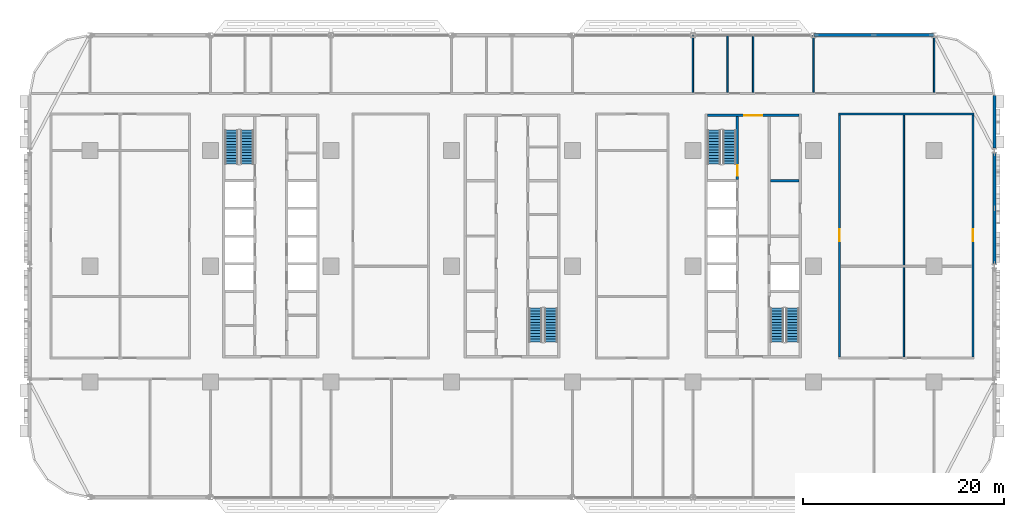
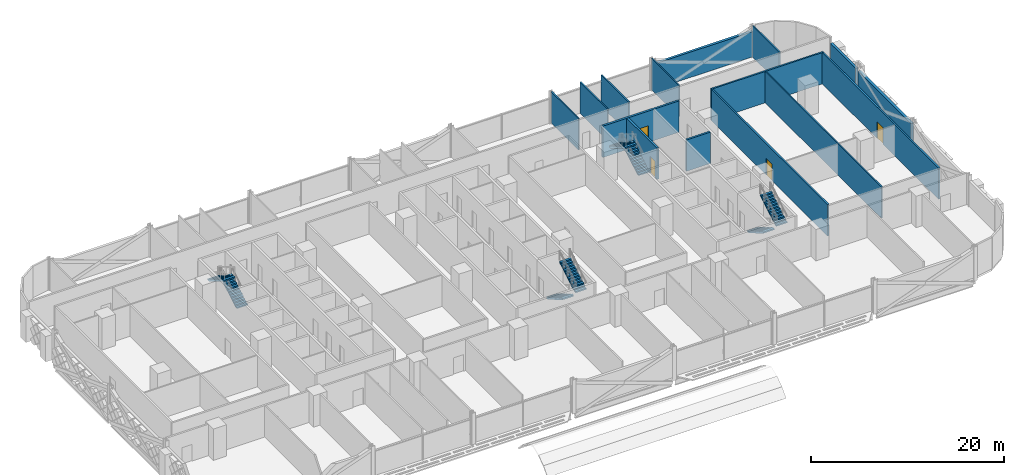
# One storey, part 14 of 26: 15 walls, 8 stair flights, 4 doors, 4 openings, 4 elements without a shape of their own.
"""IFC4 building model written with IfcOpenShell, lengths in metres."""

import ifcopenshell
import ifcopenshell.guid

model = None  # the IFC model being written
_history = None  # IfcOwnerHistory: only IFC2X3 demands one
_inside = {}  # id of a spatial element -> (the spatial element, [elements in it])
_under = {}  # id of a project, library or spatial element -> (it, [spatial elements below it])
_declared = {}  # id of a project -> (the project, [libraries it declares])
_typed = {}  # id of a type object -> (the type object, [elements of that type])
_made_of = {}  # id of a material, layer set ... -> (it, [elements and type objects made of it])


def new_model(schema):
    """Start an empty IFC model of exactly this schema.

    Asked for "IFC4X3", IfcOpenShell would pick the latest addendum, in which some entities
    have other attributes; the version numbers below select the first issue.
    IFC2X3 requires an IfcOwnerHistory on every rooted entity: one is made here for all.
    """
    global model, _history
    if schema == "IFC4X3":
        model = ifcopenshell.file(schema_version=(4, 3, 0, 0))
    else:
        model = ifcopenshell.file(schema=schema)
    _inside.clear()
    _under.clear()
    _declared.clear()
    _typed.clear()
    _made_of.clear()
    _history = None
    if model.schema == "IFC2X3":
        org = make("IfcOrganization", Name="unknown")
        user = make(
            "IfcPersonAndOrganization",
            ThePerson=make("IfcPerson", FamilyName="unknown"),
            TheOrganization=org,
        )
        app = make(
            "IfcApplication",
            ApplicationDeveloper=org,
            Version="unknown",
            ApplicationFullName="unknown",
            ApplicationIdentifier="unknown",
        )
        _history = make(
            "IfcOwnerHistory",
            OwningUser=user,
            OwningApplication=app,
            ChangeAction="ADDED",
            CreationDate=0,
        )
    return model


def make(cls, **values):
    """One entity of the class cls with the attributes given. An attribute that is None is left unset."""
    return model.create_entity(
        cls, **{name: value for name, value in values.items() if value is not None}
    )


def rooted(cls, **values):
    """An entity with a GlobalId (a new one), such as an element, a storey or a relation."""
    return make(cls, GlobalId=ifcopenshell.guid.new(), OwnerHistory=_history, **values)


def si_unit(unit_type, name, prefix=None):
    """IfcSIUnit, for example si_unit("LENGTHUNIT", "METRE", prefix="MILLI")."""
    return make("IfcSIUnit", UnitType=unit_type, Prefix=prefix, Name=name)


def assignment(units):
    """IfcUnitAssignment: the units of a project."""
    return None if units is None else make("IfcUnitAssignment", Units=units)


def point(xyz):
    """IfcCartesianPoint."""
    return None if xyz is None else make("IfcCartesianPoint", Coordinates=xyz)


def direction(xyz):
    """IfcDirection."""
    return None if xyz is None else make("IfcDirection", DirectionRatios=xyz)


def frame(location, z_axis=None, x_axis=None):
    """IfcAxis2Placement3D, a coordinate frame: its origin and axes. An axis left out is left unset."""
    return make(
        "IfcAxis2Placement3D",
        Location=point(location),
        Axis=direction(z_axis),
        RefDirection=direction(x_axis),
    )


def frame_2d(location, x_axis=None):
    """IfcAxis2Placement2D, a coordinate frame in the plane: its origin and x axis."""
    return make(
        "IfcAxis2Placement2D", Location=point(location), RefDirection=direction(x_axis)
    )


def origin():
    """The frame at (0, 0, 0) with its axes left unset."""
    return frame((0.0, 0.0, 0.0))


def place(relative_to, where):
    """IfcLocalPlacement: puts the frame where relative to a parent placement (None: the world)."""
    return make(
        "IfcLocalPlacement", PlacementRelTo=relative_to, RelativePlacement=where
    )


def context(
    kind, dimensions, precision=None, world=None, true_north=None, identifier=None
):
    """IfcGeometricRepresentationContext, for example the 3D "Model" context."""
    return make(
        "IfcGeometricRepresentationContext",
        ContextIdentifier=identifier,
        ContextType=kind,
        CoordinateSpaceDimension=dimensions,
        Precision=precision,
        WorldCoordinateSystem=world,
        TrueNorth=true_north,
    )


def subcontext(parent, identifier, kind, view, scale=None):
    """IfcGeometricRepresentationSubContext, for example "Body" below "Model"."""
    return make(
        "IfcGeometricRepresentationSubContext",
        ContextIdentifier=identifier,
        ContextType=kind,
        ParentContext=parent,
        TargetScale=scale,
        TargetView=view,
    )


def project(units=None, contexts=None):
    """IfcProject with its units and contexts."""
    return rooted(
        "IfcProject",
        Name="project",
        RepresentationContexts=contexts,
        UnitsInContext=assignment(units),
    )


def spatial(cls, under=None, at=None, **own):
    """A site, building, storey or space (cls), placed at a placement, below another one or the project."""
    s = rooted(cls, ObjectPlacement=at, **own)
    if under is not None:
        _under.setdefault(under.id(), (under, []))[1].append(s)
    return s


def polyline(points):
    """IfcPolyline through the points."""
    return make("IfcPolyline", Points=[point(p) for p in points])


def profile(cls, at=None, kind="AREA", **sizes):
    """A parametric profile (cls). Its sizes go by their IFC names, for example OverallWidth=200.0."""
    return make(cls, ProfileType=kind, Position=at, **sizes)


def rectangle(**sizes):
    """IfcRectangleProfileDef."""
    return profile("IfcRectangleProfileDef", **sizes)


def outline(outer, holes=None, kind="AREA"):
    """IfcArbitraryClosedProfileDef: a profile drawn as a closed curve; with holes, ...WithVoids."""
    if holes is None:
        return make("IfcArbitraryClosedProfileDef", ProfileType=kind, OuterCurve=outer)
    return make(
        "IfcArbitraryProfileDefWithVoids",
        ProfileType=kind,
        OuterCurve=outer,
        InnerCurves=holes,
    )


def extrude(swept, where, along, depth):
    """IfcExtrudedAreaSolid: the profile swept, set in the frame where, extruded along a direction by depth."""
    return make(
        "IfcExtrudedAreaSolid",
        SweptArea=swept,
        Position=where,
        ExtrudedDirection=direction(along),
        Depth=depth,
    )


def shape(context_of_items, identifier, shape_type, items):
    """IfcShapeRepresentation: the items that make up one representation, for example the "Body"."""
    return make(
        "IfcShapeRepresentation",
        ContextOfItems=context_of_items,
        RepresentationIdentifier=identifier,
        RepresentationType=shape_type,
        Items=items,
    )


def material(Name=None, Category=None):
    """IfcMaterial."""
    return make("IfcMaterial", Name=Name, Category=Category)


def layer(
    of_material, thickness, ventilated=None, Name=None, Category=None, Priority=None
):
    """IfcMaterialLayer: one layer of a wall or slab, of a material (None: an air gap)."""
    return make(
        "IfcMaterialLayer",
        Material=of_material,
        LayerThickness=thickness,
        IsVentilated=ventilated,
        Name=Name,
        Category=Category,
        Priority=Priority,
    )


def layer_set(layers, Name=None):
    """IfcMaterialLayerSet."""
    return make("IfcMaterialLayerSet", MaterialLayers=layers, LayerSetName=Name)


def made_of(thing, what):
    """Note that an element or type object is made of a material, layer set ...; save() writes the relation."""
    if what is not None:
        _made_of.setdefault(what.id(), (what, []))[1].append(thing)
    return thing


def type_object(cls, material=None, **own):
    """A type object (cls), such as IfcWallType, which elements share."""
    return made_of(rooted(cls, **own), material)


def element(
    cls,
    number,
    at=None,
    inside=None,
    cuts=None,
    type_object=None,
    material=None,
    context=None,
    identifier="Body",
    shape_type=None,
    held_by="IfcProductDefinitionShape",
    body=None,
    shapes=None,
    **own,
):
    """One element of the class cls, such as IfcWall. Its Tag is "e" and its number.

    at: its placement. inside: the storey or other place that contains it. cuts: it is an
    opening in that element (IfcRelVoidsElement). A single representation is given by context,
    identifier, shape_type and body (its items); several are given by shapes. held_by: the class
    of the entity that holds the representations. save() writes the other relations.
    """
    e = rooted(cls, Tag="e%d" % number, ObjectPlacement=at, **own)
    if body is not None:
        shapes = [shape(context, identifier, shape_type, body)]
    if shapes is not None:
        e.Representation = make(held_by, Representations=shapes)
    if inside is not None:
        _inside.setdefault(inside.id(), (inside, []))[1].append(e)
    if cuts is not None:
        rooted(
            "IfcRelVoidsElement", RelatingBuildingElement=cuts, RelatedOpeningElement=e
        )
    if type_object is not None:
        _typed.setdefault(type_object.id(), (type_object, []))[1].append(e)
    return made_of(e, material)


def fill(opening, filler):
    """IfcRelFillsElement: the door or window that sits in an opening."""
    return rooted(
        "IfcRelFillsElement",
        RelatingOpeningElement=opening,
        RelatedBuildingElement=filler,
    )


def aggregate(whole, parts):
    """IfcRelAggregates: a whole, such as a stair, and the parts it consists of."""
    return rooted("IfcRelAggregates", RelatingObject=whole, RelatedObjects=parts)


def save(model, path):
    """Write the relations noted so far, then the file.

    IfcRelAggregates (storeys below a building ...), IfcRelContainedInSpatialStructure (elements
    in a storey), IfcRelDefinesByType, IfcRelAssociatesMaterial and IfcRelDeclares: one each for
    every whole, place, type object, material and project.
    """
    for whole, parts in _under.values():
        aggregate(whole, parts)
    for where, things in _inside.values():
        rooted(
            "IfcRelContainedInSpatialStructure",
            RelatedElements=things,
            RelatingStructure=where,
        )
    for kind, things in _typed.values():
        rooted("IfcRelDefinesByType", RelatedObjects=things, RelatingType=kind)
    for what, things in _made_of.values():
        rooted("IfcRelAssociatesMaterial", RelatedObjects=things, RelatingMaterial=what)
    for by, libraries in _declared.values():
        rooted("IfcRelDeclares", RelatingContext=by, RelatedDefinitions=libraries)
    model.write(path)


model = new_model("IFC4")

# Units and contexts
model_context = context("Model", 3, precision=1e-05, world=origin(), true_north=direction((0.0, 1.0)))
body_context = subcontext(model_context, "Body", "Model", "MODEL_VIEW")
ifc_project = project(units=[si_unit("LENGTHUNIT", "METRE"), si_unit("AREAUNIT", "SQUARE_METRE"), si_unit("VOLUMEUNIT", "CUBIC_METRE"), si_unit("PLANEANGLEUNIT", "RADIAN"), si_unit("MASSUNIT", "GRAM", prefix="KILO")], contexts=[model_context])

# Site, building, storey
site_placement = place(None, origin())
site = spatial("IfcSite", under=ifc_project, at=site_placement, CompositionType="ELEMENT")
building_placement = place(site_placement, origin())
building = spatial("IfcBuilding", under=site, at=building_placement, Name="Mahtab Terrace Research Tower", CompositionType="ELEMENT")
storey_placement = place(building_placement, frame((0.0, 0.0, 15.800048828125)))
storey = spatial("IfcBuildingStorey", under=building, at=storey_placement, Name="L03", CompositionType="ELEMENT", Elevation=15.800048828125)

# Wall, opening, door
ifc_material_1 = material(Name="Concrete C70/85", Category="concrete")
ifc_layer_1 = layer(ifc_material_1, 0.25)
ifc_layer_set_1 = layer_set([ifc_layer_1], Name="Core wall 250")
wall_type_1 = type_object("IfcWallType", Name="Core wall 250", PredefinedType="SOLIDWALL", material=ifc_layer_set_1)
wall_1_placement = place(storey_placement, frame((19.449951171875, 15.0, 0.0), z_axis=(0.0, 0.0, 1.0), x_axis=(1.0, 0.0, 0.0)))
wall_1 = element("IfcWall", 1, at=wall_1_placement, inside=storey, type_object=wall_type_1, Name="Core wall C endN", PredefinedType="SOLIDWALL", context=body_context, shape_type="SweptSolid", body=[
    extrude(rectangle(XDim=9.10009765625, YDim=0.25, at=frame_2d((4.550048828125, 0.0))), origin(), (0.0, 0.0, 1.0), 3.9599609375),
])
opening_1_placement = place(wall_1_placement, frame((3.64990234375, 0.0, 0.0)))
opening_1 = element("IfcOpeningElement", 2, at=opening_1_placement, cuts=wall_1, Name="Opening C-N1", PredefinedType="OPENING", context=body_context, shape_type="SweptSolid", body=[
    extrude(rectangle(XDim=1.800048828125, YDim=2.10009765625, at=frame_2d((0.89990234375, 1.050048828125))), frame((0.0, 0.135009765625, 0.0), z_axis=(0.0, -1.0, 0.0), x_axis=(1.0, 0.0, 0.0)), (0.0, 0.0, 1.0), 0.27001953125),
])
ifc_material_2 = material(Name="Steel fire door", Category="steel")
door_type_1 = type_object("IfcDoorType", Name="Lobby double door 1800x2100 1 HR", OperationType="DOUBLE_DOOR_SINGLE_SWING", PredefinedType="DOOR", material=ifc_material_2)
door_1_placement = place(opening_1_placement, origin())
door_1 = element("IfcDoor", 3, at=door_1_placement, inside=storey, type_object=door_type_1, Name="Core entrance door C N", OperationType="DOUBLE_DOOR_SINGLE_SWING", OverallHeight=2.10009765625, OverallWidth=1.800048828125, PredefinedType="DOOR", context=body_context, shape_type="SweptSolid", body=[
    extrude(rectangle(XDim=1.800048828125, YDim=2.10009765625, at=frame_2d((0.89990234375, 1.050048828125))), frame((0.0, 0.02490234375, 0.0), z_axis=(0.0, -1.0, 0.0), x_axis=(1.0, 0.0, 0.0)), (0.0, 0.0, 1.0), 0.050048828125),
])
fill(opening_1, door_1)

wall_2_placement = place(storey_placement, frame((22.425048828125, 14.875, 0.0), z_axis=(0.0, 0.0, 1.0), x_axis=(0.0, -1.0, 0.0)))
wall_2 = element("IfcWall", 4, at=wall_2_placement, inside=storey, type_object=wall_type_1, Name="Core wall C innerWN", PredefinedType="SOLIDWALL", context=body_context, shape_type="SweptSolid", body=[
    extrude(rectangle(XDim=6.25, YDim=0.25, at=frame_2d((3.125, 0.0))), origin(), (0.0, 0.0, 1.0), 3.9599609375),
])
opening_2_placement = place(wall_2_placement, frame((4.85009765625, 0.0, 0.0)))
opening_2 = element("IfcOpeningElement", 5, at=opening_2_placement, cuts=wall_2, Name="Opening C-ST3", PredefinedType="OPENING", context=body_context, shape_type="SweptSolid", body=[
    extrude(rectangle(XDim=1.0, YDim=2.10009765625, at=frame_2d((0.5, 1.050048828125))), frame((0.0, 0.135009765625, 0.0), z_axis=(0.0, -1.0, 0.0), x_axis=(1.0, 0.0, 0.0)), (0.0, 0.0, 1.0), 0.27001953125),
])
door_type_2 = type_object("IfcDoorType", Name="Stair door 1000x2100 1.5 HR", OperationType="NOTDEFINED", PredefinedType="DOOR", material=ifc_material_2)
door_2_placement = place(opening_2_placement, origin())
door_2 = element("IfcDoor", 6, at=door_2_placement, inside=storey, type_object=door_type_2, Name="Stair door ST3 L03", OperationType="SINGLE_SWING_RIGHT", OverallHeight=2.10009765625, OverallWidth=1.0, PredefinedType="DOOR", context=body_context, shape_type="SweptSolid", body=[
    extrude(rectangle(XDim=1.0, YDim=2.10009765625, at=frame_2d((0.5, 1.050048828125))), frame((0.0, 0.02490234375, 0.0), z_axis=(0.0, -1.0, 0.0), x_axis=(1.0, 0.0, 0.0)), (0.0, 0.0, 1.0), 0.050048828125),
])
fill(opening_2, door_2)

# Walls
wall_3_placement = place(storey_placement, frame((25.699951171875, 8.5, 0.0), z_axis=(0.0, 0.0, 1.0), x_axis=(1.0, 0.0, 0.0)))
element("IfcWall", 7, at=wall_3_placement, inside=storey, type_object=wall_type_1, Name="Core wall C divE4", PredefinedType="SOLIDWALL", context=body_context, shape_type="SweptSolid", body=[
    extrude(rectangle(XDim=2.85009765625, YDim=0.25, at=frame_2d((1.425048828125, 0.0))), origin(), (0.0, 0.0, 1.0), 3.9599609375),
])
ifc_material_3 = material(Name="Black aluminium cladding panel", Category="aluminium")
ifc_layer_2 = layer(ifc_material_3, 0.300048828125)
ifc_layer_set_2 = layer_set([ifc_layer_2], Name="Opaque facade wall 300")
wall_type_2 = type_object("IfcWallType", Name="Opaque facade wall 300", PredefinedType="NOTDEFINED", material=ifc_layer_set_2)
wall_4_placement = place(storey_placement, frame((41.97216796875, 23.0, 0.0), z_axis=(0.0, 0.0, 1.0), x_axis=(-1.0, 0.0, 0.0)))
element("IfcWall", 8, at=wall_4_placement, inside=storey, type_object=wall_type_2, Name="Opaque facade wall L03 N3", PredefinedType="NOTDEFINED", context=body_context, shape_type="SweptSolid", body=[
    extrude(rectangle(XDim=11.9443359375, YDim=0.300048828125, at=frame_2d((5.97216796875, 0.0))), origin(), (0.0, 0.0, 1.0), 3.203125),
])
wall_5_placement = place(storey_placement, frame((48.0, 0.2490234375, 0.0), z_axis=(0.0, 0.0, 1.0), x_axis=(0.0, 1.0, 0.0)))
element("IfcWall", 9, at=wall_5_placement, inside=storey, type_object=wall_type_2, Name="Opaque facade wall L03 E35", PredefinedType="NOTDEFINED", context=body_context, shape_type="SweptSolid", body=[
    extrude(rectangle(XDim=11.001953125, YDim=0.300048828125, at=frame_2d((5.5009765625, 0.0))), origin(), (0.0, 0.0, 1.0), 3.203125),
])
wall_6_placement = place(storey_placement, frame((48.0, 11.7490234375, 0.0), z_axis=(0.0, 0.0, 1.0), x_axis=(0.0, 1.0, 0.0)))
element("IfcWall", 10, at=wall_6_placement, inside=storey, type_object=wall_type_2, Name="Opaque facade wall L03 E36", PredefinedType="NOTDEFINED", context=body_context, shape_type="SweptSolid", body=[
    extrude(rectangle(XDim=5.2509765625, YDim=0.300048828125, at=frame_2d((2.62548828125, 0.0))), origin(), (0.0, 0.0, 1.0), 3.203125),
])
ifc_material_4 = material(Name="Gypsum board corridor wall on steel studs", Category="steel")
ifc_layer_3 = layer(ifc_material_4, 0.199951171875)
ifc_layer_set_3 = layer_set([ifc_layer_3], Name="WALL CORRIDOR 200")
wall_type_3 = type_object("IfcWallType", Name="WALL CORRIDOR 200", PredefinedType="PARTITIONING", material=ifc_layer_set_3)
wall_7_placement = place(storey_placement, frame((32.5, 15.125, 0.0), z_axis=(0.0, 0.0, 1.0), x_axis=(1.0, 0.0, 0.0)))
element("IfcWall", 11, at=wall_7_placement, inside=storey, type_object=wall_type_3, Name="L03-W025", PredefinedType="PARTITIONING", context=body_context, shape_type="SweptSolid", body=[
    extrude(rectangle(XDim=13.449951171875, YDim=0.199951171875, at=frame_2d((6.72509765625, 0.0))), origin(), (0.0, 0.0, 1.0), 3.9599609375),
])

# Wall, opening, door
wall_8_placement = place(storey_placement, frame((32.60009765625, -9.02490234375, 0.0), z_axis=(0.0, 0.0, 1.0), x_axis=(0.0, 1.0, 0.0)))
wall_8 = element("IfcWall", 12, at=wall_8_placement, inside=storey, type_object=wall_type_3, Name="L03-W059", PredefinedType="PARTITIONING", context=body_context, shape_type="SweptSolid", body=[
    extrude(rectangle(XDim=24.0498046875, YDim=0.199951171875, at=frame_2d((12.02490234375, 0.0))), origin(), (0.0, 0.0, 1.0), 3.9599609375),
])
opening_3_placement = place(wall_8_placement, frame((11.5, 0.0, 0.0)))
opening_3 = element("IfcOpeningElement", 13, at=opening_3_placement, cuts=wall_8, Name="Opening L03-126", PredefinedType="OPENING", context=body_context, shape_type="SweptSolid", body=[
    extrude(rectangle(XDim=1.199951171875, YDim=2.10009765625, at=frame_2d((0.60009765625, 1.050048828125))), frame((0.0, 0.10986328125, 0.0), z_axis=(0.0, -1.0, 0.0), x_axis=(1.0, 0.0, 0.0)), (0.0, 0.0, 1.0), 0.219970703125),
])
ifc_material_5 = material(Name="Timber door leaf in steel frame", Category="steel")
door_type_3 = type_object("IfcDoorType", Name="DOOR 1200X2100 FD30S", OperationType="SINGLE_SWING_LEFT", PredefinedType="DOOR", material=ifc_material_5)
door_3_placement = place(opening_3_placement, origin())
door_3 = element("IfcDoor", 14, at=door_3_placement, inside=storey, type_object=door_type_3, Name="Door L03-126", OperationType="SINGLE_SWING_LEFT", OverallHeight=2.10009765625, OverallWidth=1.199951171875, PredefinedType="DOOR", context=body_context, shape_type="SweptSolid", body=[
    extrude(rectangle(XDim=1.199951171875, YDim=2.10009765625, at=frame_2d((0.60009765625, 1.050048828125))), frame((0.0, 0.02490234375, 0.0), z_axis=(0.0, -1.0, 0.0), x_axis=(1.0, 0.0, 0.0)), (0.0, 0.0, 1.0), 0.050048828125),
])
fill(opening_3, door_3)

wall_9_placement = place(storey_placement, frame((45.85009765625, -9.02490234375, 0.0), z_axis=(0.0, 0.0, 1.0), x_axis=(0.0, 1.0, 0.0)))
wall_9 = element("IfcWall", 15, at=wall_9_placement, inside=storey, type_object=wall_type_3, Name="L03-W064", PredefinedType="PARTITIONING", context=body_context, shape_type="SweptSolid", body=[
    extrude(rectangle(XDim=24.0498046875, YDim=0.199951171875, at=frame_2d((12.02490234375, 0.0))), origin(), (0.0, 0.0, 1.0), 3.9599609375),
])
opening_4_placement = place(wall_9_placement, frame((11.5, 0.0, 0.0)))
opening_4 = element("IfcOpeningElement", 16, at=opening_4_placement, cuts=wall_9, Name="Opening L03-127", PredefinedType="OPENING", context=body_context, shape_type="SweptSolid", body=[
    extrude(rectangle(XDim=1.199951171875, YDim=2.10009765625, at=frame_2d((0.60009765625, 1.050048828125))), frame((0.0, 0.10986328125, 0.0), z_axis=(0.0, -1.0, 0.0), x_axis=(1.0, 0.0, 0.0)), (0.0, 0.0, 1.0), 0.219970703125),
])
door_4_placement = place(opening_4_placement, origin())
door_4 = element("IfcDoor", 17, at=door_4_placement, inside=storey, type_object=door_type_3, Name="Door L03-127", OperationType="SINGLE_SWING_RIGHT", OverallHeight=2.10009765625, OverallWidth=1.199951171875, PredefinedType="DOOR", context=body_context, shape_type="SweptSolid", body=[
    extrude(rectangle(XDim=1.199951171875, YDim=2.10009765625, at=frame_2d((0.60009765625, 1.050048828125))), frame((0.0, 0.02490234375, 0.0), z_axis=(0.0, -1.0, 0.0), x_axis=(1.0, 0.0, 0.0)), (0.0, 0.0, 1.0), 0.050048828125),
])
fill(opening_4, door_4)

# Walls
ifc_material_6 = material(Name="Gypsum board partition on steel studs", Category="steel")
ifc_layer_4 = layer(ifc_material_6, 0.14990234375)
ifc_layer_set_4 = layer_set([ifc_layer_4], Name="WALL PARTITION 150")
wall_type_4 = type_object("IfcWallType", Name="WALL PARTITION 150", PredefinedType="PARTITIONING", material=ifc_layer_set_4)
for number, where, z_axis, x_axis, name in (
    (18, (18.0, 17.300048828125, 0.0), (0.0, 0.0, 1.0), (0.0, 1.0, 0.0), "L03-W054"),
    (19, (21.449951171875, 17.300048828125, 0.0), (0.0, 0.0, 1.0), (0.0, 1.0, 0.0), "L03-W055"),
    (20, (24.0, 17.300048828125, 0.0), (0.0, 0.0, 1.0), (0.0, 1.0, 0.0), "L03-W057"),
    (21, (30.0, 17.300048828125, 0.0), (0.0, 0.0, 1.0), (0.0, 1.0, 0.0), "L03-W058"),
):
    element("IfcWall", number, at=place(storey_placement, frame(where, z_axis=z_axis, x_axis=x_axis)), inside=storey, type_object=wall_type_4, Name=name, PredefinedType="PARTITIONING", context=body_context, shape_type="SweptSolid", body=[
        extrude(rectangle(XDim=5.675048828125, YDim=0.14990234375, at=frame_2d((2.83740234375, 0.0))), origin(), (0.0, 0.0, 1.0), 3.9599609375),
    ])
wall_10_placement = place(storey_placement, frame((39.0, -9.02490234375, 0.0), z_axis=(0.0, 0.0, 1.0), x_axis=(0.0, 1.0, 0.0)))
element("IfcWall", 22, at=wall_10_placement, inside=storey, type_object=wall_type_4, Name="L03-W061", PredefinedType="PARTITIONING", context=body_context, shape_type="SweptSolid", body=[
    extrude(rectangle(XDim=24.0498046875, YDim=0.14990234375, at=frame_2d((12.02490234375, 0.0))), origin(), (0.0, 0.0, 1.0), 3.9599609375),
])
wall_11_placement = place(storey_placement, frame((42.0, 17.300048828125, 0.0), z_axis=(0.0, 0.0, 1.0), x_axis=(0.0, 1.0, 0.0)))
element("IfcWall", 23, at=wall_11_placement, inside=storey, type_object=wall_type_4, Name="L03-W063", PredefinedType="PARTITIONING", context=body_context, shape_type="SweptSolid", body=[
    extrude(rectangle(XDim=5.547119140625, YDim=0.14990234375, at=frame_2d((2.7734375, 0.0))), origin(), (0.0, 0.0, 1.0), 3.9599609375),
])

# Stair, stair flights
ifc_material_7 = material(Name="Exit stair half-turn")
stair_type = type_object("IfcStairType", Name="Exit stair half-turn", PredefinedType="HALF_TURN_STAIR", material=ifc_material_7)
stair_1_placement = place(storey_placement, origin())
stair_1 = element("IfcStair", 24, at=stair_1_placement, inside=storey, type_object=stair_type, Name="L03 Protected exit stair ST1", PredefinedType="HALF_TURN_STAIR")
ifc_material_8 = material(Name="Concrete C40/50", Category="concrete")
stair_flight_type = type_object("IfcStairFlightType", Name="Exit stair flight 1300", PredefinedType="STRAIGHT", material=ifc_material_8)
stair_flight_1_placement = place(storey_placement, frame((-26.35009765625, 10.175048828125, 0.0), z_axis=(0.0, 0.0, 1.0), x_axis=(0.0, 1.0, 0.0)))
stair_flight_1 = element("IfcStairFlight", 25, at=stair_flight_1_placement, type_object=stair_flight_type, Name="ST1 flight 1", NumberOfRisers=13, NumberOfTreads=12, PredefinedType="STRAIGHT", RiserHeight=0.165384615, TreadLength=0.28, context=body_context, shape_type="SweptSolid", body=[
    extrude(outline(polyline([(0.0, 0.0), (0.0, 0.165283203125), (0.280029296875, 0.165283203125), (0.280029296875, 0.330810546875), (0.56005859375, 0.330810546875), (0.56005859375, 0.49609375), (0.840087890625, 0.49609375), (0.840087890625, 0.66162109375), (1.1201171875, 0.66162109375), (1.1201171875, 0.826904296875), (1.39990234375, 0.826904296875), (1.39990234375, 0.9921875), (1.679931640625, 0.9921875), (1.679931640625, 1.15771484375), (1.9599609375, 1.15771484375), (1.9599609375, 1.322998046875), (2.239990234375, 1.322998046875), (2.239990234375, 1.488525390625), (2.52001953125, 1.488525390625), (2.52001953125, 1.65380859375), (2.800048828125, 1.65380859375), (2.800048828125, 1.8193359375), (3.080078125, 1.8193359375), (3.080078125, 1.984619140625), (3.360107421875, 1.984619140625), (3.360107421875, 2.14990234375), (3.360107421875, 1.810546875), (0.294677734375, 0.0), (0.0, 0.0)])), frame((0.0, 0.64990234375, 0.0), z_axis=(0.0, -1.0, 0.0), x_axis=(1.0, 0.0, 0.0)), (0.0, 0.0, 1.0), 1.300048828125),
])
stair_flight_2_placement = place(storey_placement, frame((-27.89990234375, 13.534912109375, 2.14990234375), z_axis=(0.0, 0.0, 1.0), x_axis=(0.0, -1.0, 0.0)))
stair_flight_2 = element("IfcStairFlight", 26, at=stair_flight_2_placement, type_object=stair_flight_type, Name="ST1 flight 2", NumberOfRisers=13, NumberOfTreads=12, PredefinedType="STRAIGHT", RiserHeight=0.165384615, TreadLength=0.28, context=body_context, shape_type="SweptSolid", body=[
    extrude(outline(polyline([(0.0, 0.0), (0.0, 0.165283203125), (0.280029296875, 0.165283203125), (0.280029296875, 0.330810546875), (0.56005859375, 0.330810546875), (0.56005859375, 0.49609375), (0.840087890625, 0.49609375), (0.840087890625, 0.66162109375), (1.1201171875, 0.66162109375), (1.1201171875, 0.826904296875), (1.39990234375, 0.826904296875), (1.39990234375, 0.9921875), (1.679931640625, 0.9921875), (1.679931640625, 1.15771484375), (1.9599609375, 1.15771484375), (1.9599609375, 1.322998046875), (2.239990234375, 1.322998046875), (2.239990234375, 1.488525390625), (2.52001953125, 1.488525390625), (2.52001953125, 1.65380859375), (2.800048828125, 1.65380859375), (2.800048828125, 1.8193359375), (3.080078125, 1.8193359375), (3.080078125, 1.984619140625), (3.360107421875, 1.984619140625), (3.360107421875, 2.14990234375), (3.360107421875, 1.810546875), (0.294677734375, 0.0), (0.0, 0.0)])), frame((0.0, 0.64990234375, 0.0), z_axis=(0.0, -1.0, 0.0), x_axis=(1.0, 0.0, 0.0)), (0.0, 0.0, 1.0), 1.300048828125),
])
aggregate(stair_1, [stair_flight_1, stair_flight_2])

stair_2_placement = place(storey_placement, origin())
stair_2 = element("IfcStair", 27, at=stair_2_placement, inside=storey, type_object=stair_type, Name="L03 Protected exit stair ST2", PredefinedType="HALF_TURN_STAIR")
stair_flight_3_placement = place(storey_placement, frame((2.35009765625, -4.175048828125, 0.0), z_axis=(0.0, 0.0, 1.0), x_axis=(0.0, -1.0, 0.0)))
stair_flight_3 = element("IfcStairFlight", 28, at=stair_flight_3_placement, type_object=stair_flight_type, Name="ST2 flight 1", NumberOfRisers=13, NumberOfTreads=12, PredefinedType="STRAIGHT", RiserHeight=0.165384615, TreadLength=0.28, context=body_context, shape_type="SweptSolid", body=[
    extrude(outline(polyline([(0.0, 0.0), (0.0, 0.165283203125), (0.280029296875, 0.165283203125), (0.280029296875, 0.330810546875), (0.56005859375, 0.330810546875), (0.56005859375, 0.49609375), (0.840087890625, 0.49609375), (0.840087890625, 0.66162109375), (1.1201171875, 0.66162109375), (1.1201171875, 0.826904296875), (1.39990234375, 0.826904296875), (1.39990234375, 0.9921875), (1.679931640625, 0.9921875), (1.679931640625, 1.15771484375), (1.9599609375, 1.15771484375), (1.9599609375, 1.322998046875), (2.239990234375, 1.322998046875), (2.239990234375, 1.488525390625), (2.52001953125, 1.488525390625), (2.52001953125, 1.65380859375), (2.800048828125, 1.65380859375), (2.800048828125, 1.8193359375), (3.080078125, 1.8193359375), (3.080078125, 1.984619140625), (3.360107421875, 1.984619140625), (3.360107421875, 2.14990234375), (3.360107421875, 1.810546875), (0.294677734375, 0.0), (0.0, 0.0)])), frame((0.0, 0.64990234375, 0.0), z_axis=(0.0, -1.0, 0.0), x_axis=(1.0, 0.0, 0.0)), (0.0, 0.0, 1.0), 1.300048828125),
])
stair_flight_4_placement = place(storey_placement, frame((3.89990234375, -7.534912109375, 2.14990234375), z_axis=(0.0, 0.0, 1.0), x_axis=(0.0, 1.0, 0.0)))
stair_flight_4 = element("IfcStairFlight", 29, at=stair_flight_4_placement, type_object=stair_flight_type, Name="ST2 flight 2", NumberOfRisers=13, NumberOfTreads=12, PredefinedType="STRAIGHT", RiserHeight=0.165384615, TreadLength=0.28, context=body_context, shape_type="SweptSolid", body=[
    extrude(outline(polyline([(0.0, 0.0), (0.0, 0.165283203125), (0.280029296875, 0.165283203125), (0.280029296875, 0.330810546875), (0.56005859375, 0.330810546875), (0.56005859375, 0.49609375), (0.840087890625, 0.49609375), (0.840087890625, 0.66162109375), (1.1201171875, 0.66162109375), (1.1201171875, 0.826904296875), (1.39990234375, 0.826904296875), (1.39990234375, 0.9921875), (1.679931640625, 0.9921875), (1.679931640625, 1.15771484375), (1.9599609375, 1.15771484375), (1.9599609375, 1.322998046875), (2.239990234375, 1.322998046875), (2.239990234375, 1.488525390625), (2.52001953125, 1.488525390625), (2.52001953125, 1.65380859375), (2.800048828125, 1.65380859375), (2.800048828125, 1.8193359375), (3.080078125, 1.8193359375), (3.080078125, 1.984619140625), (3.360107421875, 1.984619140625), (3.360107421875, 2.14990234375), (3.360107421875, 1.810546875), (0.294677734375, 0.0), (0.0, 0.0)])), frame((0.0, 0.64990234375, 0.0), z_axis=(0.0, -1.0, 0.0), x_axis=(1.0, 0.0, 0.0)), (0.0, 0.0, 1.0), 1.300048828125),
])
aggregate(stair_2, [stair_flight_3, stair_flight_4])

stair_3_placement = place(storey_placement, origin())
stair_3 = element("IfcStair", 30, at=stair_3_placement, inside=storey, type_object=stair_type, Name="L03 Protected exit stair ST3", PredefinedType="HALF_TURN_STAIR")
stair_flight_5_placement = place(storey_placement, frame((21.64990234375, 10.175048828125, 0.0), z_axis=(0.0, 0.0, 1.0), x_axis=(0.0, 1.0, 0.0)))
stair_flight_5 = element("IfcStairFlight", 31, at=stair_flight_5_placement, type_object=stair_flight_type, Name="ST3 flight 1", NumberOfRisers=13, NumberOfTreads=12, PredefinedType="STRAIGHT", RiserHeight=0.165384615, TreadLength=0.28, context=body_context, shape_type="SweptSolid", body=[
    extrude(outline(polyline([(0.0, 0.0), (0.0, 0.165283203125), (0.280029296875, 0.165283203125), (0.280029296875, 0.330810546875), (0.56005859375, 0.330810546875), (0.56005859375, 0.49609375), (0.840087890625, 0.49609375), (0.840087890625, 0.66162109375), (1.1201171875, 0.66162109375), (1.1201171875, 0.826904296875), (1.39990234375, 0.826904296875), (1.39990234375, 0.9921875), (1.679931640625, 0.9921875), (1.679931640625, 1.15771484375), (1.9599609375, 1.15771484375), (1.9599609375, 1.322998046875), (2.239990234375, 1.322998046875), (2.239990234375, 1.488525390625), (2.52001953125, 1.488525390625), (2.52001953125, 1.65380859375), (2.800048828125, 1.65380859375), (2.800048828125, 1.8193359375), (3.080078125, 1.8193359375), (3.080078125, 1.984619140625), (3.360107421875, 1.984619140625), (3.360107421875, 2.14990234375), (3.360107421875, 1.810546875), (0.294677734375, 0.0), (0.0, 0.0)])), frame((0.0, 0.64990234375, 0.0), z_axis=(0.0, -1.0, 0.0), x_axis=(1.0, 0.0, 0.0)), (0.0, 0.0, 1.0), 1.300048828125),
])
stair_flight_6_placement = place(storey_placement, frame((20.10009765625, 13.534912109375, 2.14990234375), z_axis=(0.0, 0.0, 1.0), x_axis=(0.0, -1.0, 0.0)))
stair_flight_6 = element("IfcStairFlight", 32, at=stair_flight_6_placement, type_object=stair_flight_type, Name="ST3 flight 2", NumberOfRisers=13, NumberOfTreads=12, PredefinedType="STRAIGHT", RiserHeight=0.165384615, TreadLength=0.28, context=body_context, shape_type="SweptSolid", body=[
    extrude(outline(polyline([(0.0, 0.0), (0.0, 0.165283203125), (0.280029296875, 0.165283203125), (0.280029296875, 0.330810546875), (0.56005859375, 0.330810546875), (0.56005859375, 0.49609375), (0.840087890625, 0.49609375), (0.840087890625, 0.66162109375), (1.1201171875, 0.66162109375), (1.1201171875, 0.826904296875), (1.39990234375, 0.826904296875), (1.39990234375, 0.9921875), (1.679931640625, 0.9921875), (1.679931640625, 1.15771484375), (1.9599609375, 1.15771484375), (1.9599609375, 1.322998046875), (2.239990234375, 1.322998046875), (2.239990234375, 1.488525390625), (2.52001953125, 1.488525390625), (2.52001953125, 1.65380859375), (2.800048828125, 1.65380859375), (2.800048828125, 1.8193359375), (3.080078125, 1.8193359375), (3.080078125, 1.984619140625), (3.360107421875, 1.984619140625), (3.360107421875, 2.14990234375), (3.360107421875, 1.810546875), (0.294677734375, 0.0), (0.0, 0.0)])), frame((0.0, 0.64990234375, 0.0), z_axis=(0.0, -1.0, 0.0), x_axis=(1.0, 0.0, 0.0)), (0.0, 0.0, 1.0), 1.300048828125),
])
aggregate(stair_3, [stair_flight_5, stair_flight_6])

stair_4_placement = place(storey_placement, origin())
stair_4 = element("IfcStair", 33, at=stair_4_placement, inside=storey, type_object=stair_type, Name="L03 Protected exit stair ST4", PredefinedType="HALF_TURN_STAIR")
stair_flight_7_placement = place(storey_placement, frame((26.35009765625, -4.175048828125, 0.0), z_axis=(0.0, 0.0, 1.0), x_axis=(0.0, -1.0, 0.0)))
stair_flight_7 = element("IfcStairFlight", 34, at=stair_flight_7_placement, type_object=stair_flight_type, Name="ST4 flight 1", NumberOfRisers=13, NumberOfTreads=12, PredefinedType="STRAIGHT", RiserHeight=0.165384615, TreadLength=0.28, context=body_context, shape_type="SweptSolid", body=[
    extrude(outline(polyline([(0.0, 0.0), (0.0, 0.165283203125), (0.280029296875, 0.165283203125), (0.280029296875, 0.330810546875), (0.56005859375, 0.330810546875), (0.56005859375, 0.49609375), (0.840087890625, 0.49609375), (0.840087890625, 0.66162109375), (1.1201171875, 0.66162109375), (1.1201171875, 0.826904296875), (1.39990234375, 0.826904296875), (1.39990234375, 0.9921875), (1.679931640625, 0.9921875), (1.679931640625, 1.15771484375), (1.9599609375, 1.15771484375), (1.9599609375, 1.322998046875), (2.239990234375, 1.322998046875), (2.239990234375, 1.488525390625), (2.52001953125, 1.488525390625), (2.52001953125, 1.65380859375), (2.800048828125, 1.65380859375), (2.800048828125, 1.8193359375), (3.080078125, 1.8193359375), (3.080078125, 1.984619140625), (3.360107421875, 1.984619140625), (3.360107421875, 2.14990234375), (3.360107421875, 1.810546875), (0.294677734375, 0.0), (0.0, 0.0)])), frame((0.0, 0.64990234375, 0.0), z_axis=(0.0, -1.0, 0.0), x_axis=(1.0, 0.0, 0.0)), (0.0, 0.0, 1.0), 1.300048828125),
])
stair_flight_8_placement = place(storey_placement, frame((27.89990234375, -7.534912109375, 2.14990234375), z_axis=(0.0, 0.0, 1.0), x_axis=(0.0, 1.0, 0.0)))
stair_flight_8 = element("IfcStairFlight", 35, at=stair_flight_8_placement, type_object=stair_flight_type, Name="ST4 flight 2", NumberOfRisers=13, NumberOfTreads=12, PredefinedType="STRAIGHT", RiserHeight=0.165384615, TreadLength=0.28, context=body_context, shape_type="SweptSolid", body=[
    extrude(outline(polyline([(0.0, 0.0), (0.0, 0.165283203125), (0.280029296875, 0.165283203125), (0.280029296875, 0.330810546875), (0.56005859375, 0.330810546875), (0.56005859375, 0.49609375), (0.840087890625, 0.49609375), (0.840087890625, 0.66162109375), (1.1201171875, 0.66162109375), (1.1201171875, 0.826904296875), (1.39990234375, 0.826904296875), (1.39990234375, 0.9921875), (1.679931640625, 0.9921875), (1.679931640625, 1.15771484375), (1.9599609375, 1.15771484375), (1.9599609375, 1.322998046875), (2.239990234375, 1.322998046875), (2.239990234375, 1.488525390625), (2.52001953125, 1.488525390625), (2.52001953125, 1.65380859375), (2.800048828125, 1.65380859375), (2.800048828125, 1.8193359375), (3.080078125, 1.8193359375), (3.080078125, 1.984619140625), (3.360107421875, 1.984619140625), (3.360107421875, 2.14990234375), (3.360107421875, 1.810546875), (0.294677734375, 0.0), (0.0, 0.0)])), frame((0.0, 0.64990234375, 0.0), z_axis=(0.0, -1.0, 0.0), x_axis=(1.0, 0.0, 0.0)), (0.0, 0.0, 1.0), 1.300048828125),
])
aggregate(stair_4, [stair_flight_7, stair_flight_8])

save(model, "model.ifc")
